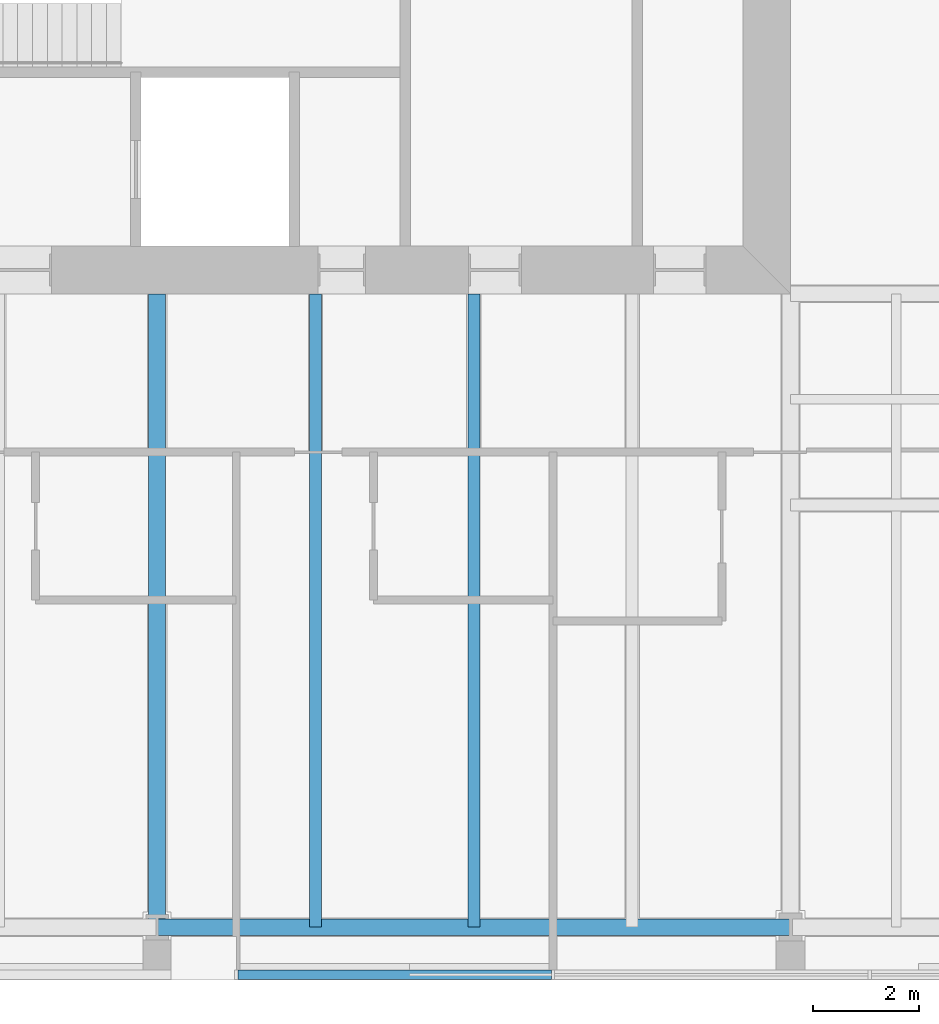
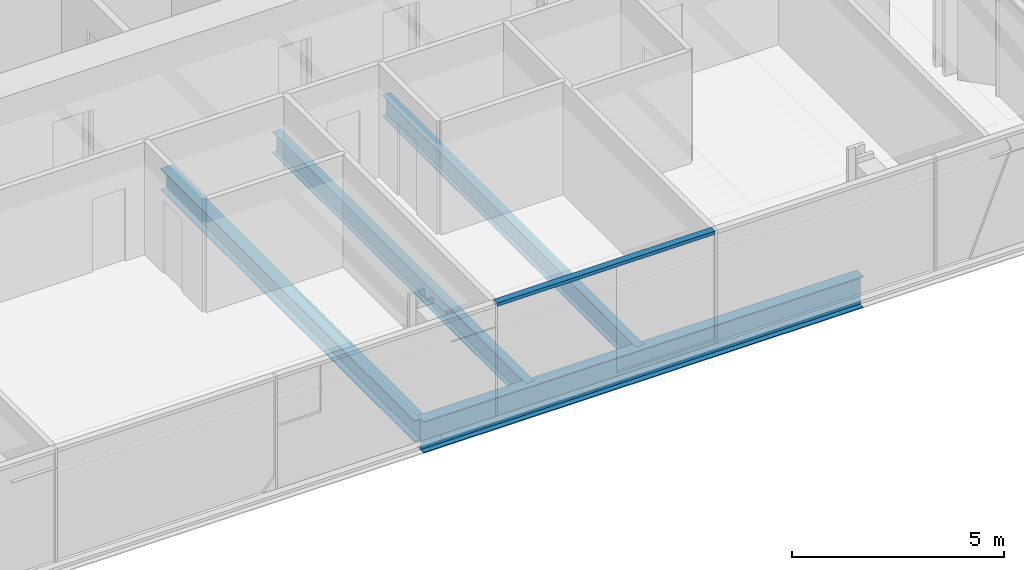
# One storey, part 3 of 20: 4 beams, 1 member, 1 element without a shape of its own.
"""IFC4 building model written with IfcOpenShell, lengths in metres."""

from ifc_helpers import new_model, si_unit, direction, frame, origin, origin_2d, place, context, subcontext, project, spatial, rectangle, i_section, extrude, material, material_profile, profile_set, type_object, element, aggregate, save


model = new_model("IFC4")

# Units and contexts
model_context = context("Model", 3, precision=1e-05, world=origin(), true_north=direction((0.0, 1.0)))
body_context = subcontext(model_context, "Body", "Model", "MODEL_VIEW")
ifc_project = project(units=[si_unit("LENGTHUNIT", "METRE"), si_unit("AREAUNIT", "SQUARE_METRE"), si_unit("VOLUMEUNIT", "CUBIC_METRE"), si_unit("PLANEANGLEUNIT", "RADIAN"), si_unit("MASSUNIT", "GRAM", prefix="KILO")], contexts=[model_context])

# Site, building, storey
site_placement = place(None, origin())
site = spatial("IfcSite", under=ifc_project, at=site_placement, CompositionType="ELEMENT")
building_placement = place(site_placement, origin())
building = spatial("IfcBuilding", under=site, at=building_placement, Name="Fenwick Lantern Interchange", CompositionType="ELEMENT")
storey_placement = place(building_placement, frame((0.0, 0.0, 279.800048828125)))
storey = spatial("IfcBuildingStorey", under=building, at=storey_placement, Name="L67", CompositionType="ELEMENT", Elevation=279.800048828125)

# Beams
ifc_material_1 = material(Name="Steel ASTM A992 Grade 50", Category="steel")
ifc_material_profile_1 = material_profile(ifc_material_1, i_section(OverallWidth=0.3046875, OverallDepth=0.911865234375, WebThickness=0.015869140625, FlangeThickness=0.02392578125, at=origin_2d()), Name="W36X150")
ifc_profile_set_1 = profile_set([ifc_material_profile_1], Name="Steel ASTM A992 Grade 50")
beam_type_1 = type_object("IfcBeamType", Name="EDGE BEAM W36X150", PredefinedType="SPANDREL", material=ifc_profile_set_1)
beam_1_placement = place(storey_placement, frame((25.0, 1.0, -0.60595703125), z_axis=(1.0, 0.0, 0.0), x_axis=(0.0, 1.0, 0.0)))
element("IfcBeam", 1, at=beam_1_placement, inside=storey, type_object=beam_type_1, Name="L67/FR/S/EB3", PredefinedType="SPANDREL", context=body_context, shape_type="SweptSolid", body=[
    extrude(i_section(OverallWidth=0.3046875, OverallDepth=0.911865234375, WebThickness=0.015869140625, FlangeThickness=0.02392578125, at=origin_2d()), origin(), (0.0, 0.0, 1.0), 12.0),
])
ifc_material_profile_2 = material_profile(ifc_material_1, i_section(OverallWidth=0.22900390625, OverallDepth=0.612060546875, WebThickness=0.011962890625, FlangeThickness=0.01953125, at=origin_2d()), Name="W24X84")
ifc_profile_set_2 = profile_set([ifc_material_profile_2], Name="Steel ASTM A992 Grade 50")
beam_type_2 = type_object("IfcBeamType", Name="FLOOR BEAM W24X84", PredefinedType="BEAM", material=ifc_profile_set_2)
for number, where, z_axis, x_axis, name in (
    (2, (28.0, 1.0, -0.4560546875), (0.0, 1.0, 0.0), (-1.0, 0.0, 0.0), "L67/FR/S/R06"),
    (3, (31.0, 1.0, -0.4560546875), (0.0, 1.0, 0.0), (-1.0, 0.0, 0.0), "L67/FR/S/R07"),
):
    element("IfcBeam", number, at=place(storey_placement, frame(where, z_axis=z_axis, x_axis=x_axis)), inside=storey, type_object=beam_type_2, Name=name, PredefinedType="BEAM", context=body_context, shape_type="SweptSolid", body=[
        extrude(i_section(OverallWidth=0.22900390625, OverallDepth=0.612060546875, WebThickness=0.011962890625, FlangeThickness=0.01953125, at=origin_2d()), origin(), (0.0, 0.0, 1.0), 12.0),
    ])

# Curtain wall, member
ifc_material_2 = material(Name="Aluminium curtain wall frame", Category="aluminium")
curtain_wall_type = type_object("IfcCurtainWallType", Name="HOTEL CURTAIN WALL", PredefinedType="USERDEFINED", material=ifc_material_2)
curtain_wall_placement = place(storey_placement, origin())
curtain_wall = element("IfcCurtainWall", 4, at=curtain_wall_placement, inside=storey, type_object=curtain_wall_type, Name="Hotel curtain wall 01", ObjectType="HOTEL CURTAIN WALL", PredefinedType="USERDEFINED")
ifc_material_3 = material(Name="Aluminium extrusion", Category="aluminium")
ifc_material_profile_3 = material_profile(ifc_material_3, rectangle(XDim=0.179931640625, YDim=0.10009765625, at=origin_2d()), Name="HOTEL CURTAIN WALL TRANSOM 100 X 180")
ifc_profile_set_3 = profile_set([ifc_material_profile_3], Name="Aluminium extrusion")
member_type = type_object("IfcMemberType", Name="HOTEL CURTAIN WALL TRANSOM 100 X 180", PredefinedType="MULLION", material=ifc_profile_set_3)
member_placement = place(storey_placement, frame((26.530029296875, 0.10009765625, 3.199951171875), z_axis=(1.0, 0.0, 0.0), x_axis=(0.0, 1.0, 0.0)))
member = element("IfcMember", 5, at=member_placement, type_object=member_type, Name="L67/CW/01/T04", PredefinedType="MULLION", context=body_context, shape_type="SweptSolid", body=[
    extrude(rectangle(XDim=0.179931640625, YDim=0.10009765625, at=origin_2d()), origin(), (0.0, 0.0, 1.0), 5.93994140625),
])
aggregate(curtain_wall, [member])

# Beam
ifc_material_profile_4 = material_profile(ifc_material_1, i_section(OverallWidth=0.32763671875, OverallDepth=0.622314453125, WebThickness=0.015380859375, FlangeThickness=0.0244140625, at=origin_2d()), Name="W24X131")
ifc_profile_set_4 = profile_set([ifc_material_profile_4], Name="Steel ASTM A992 Grade 50")
beam_type_3 = type_object("IfcBeamType", Name="MOMENT-CONNECTED GIRDER W24X131", PredefinedType="BEAM", material=ifc_profile_set_4)
beam_2_placement = place(storey_placement, frame((25.0, 1.0, -0.461181640625), z_axis=(0.0, 1.0, 0.0), x_axis=(-1.0, 0.0, 0.0)))
element("IfcBeam", 6, at=beam_2_placement, inside=storey, type_object=beam_type_3, Name="L67/FR/S/R05", PredefinedType="BEAM", context=body_context, shape_type="SweptSolid", body=[
    extrude(i_section(OverallWidth=0.32763671875, OverallDepth=0.622314453125, WebThickness=0.015380859375, FlangeThickness=0.0244140625, at=origin_2d()), origin(), (0.0, 0.0, 1.0), 12.0),
])

save(model, "model.ifc")
